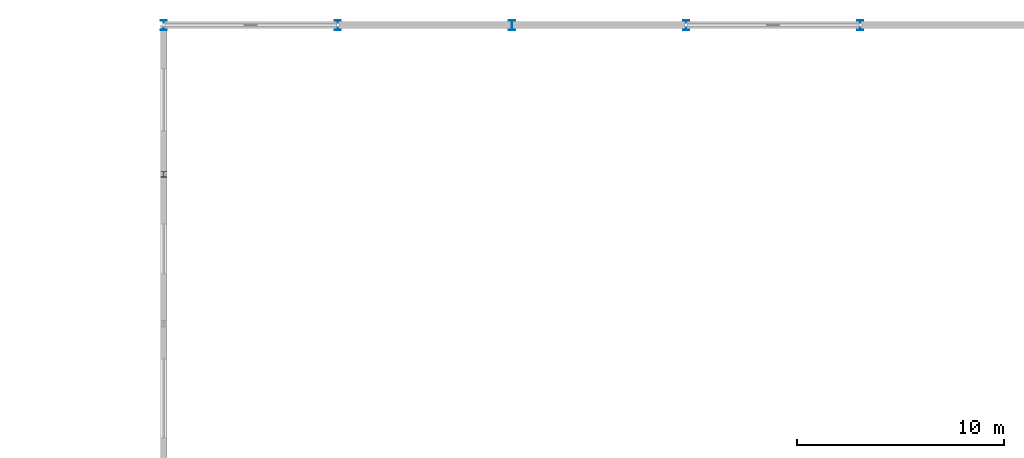
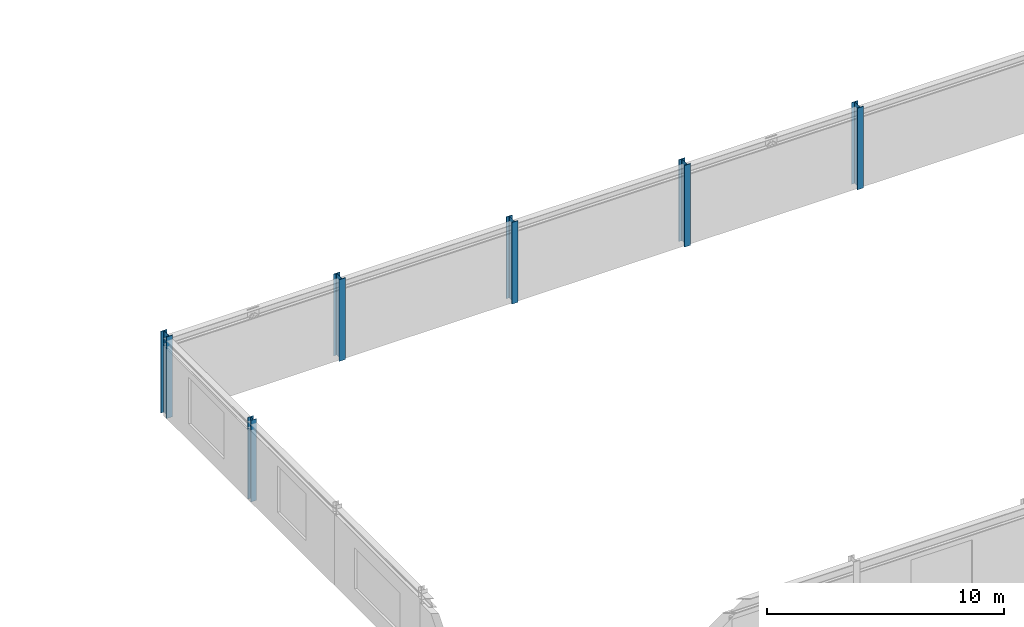
# One storey, part 11 of 73: 6 columns.
"""IFC4 building model written with IfcOpenShell, lengths in metres."""

from ifc_helpers import new_model, si_unit, derived_unit, direction, frame, origin, origin_2d, place, context, subcontext, project, spatial, i_section, extrude, material, material_profile, profile_set, type_object, element, save


model = new_model("IFC4")

# Units and contexts
model_context = context("Model", 3, precision=1e-05, world=origin(), true_north=direction((0.0, 1.0)))
body_context = subcontext(model_context, "Body", "Model", "MODEL_VIEW")
ifc_project = project(units=[si_unit("LENGTHUNIT", "METRE"), si_unit("AREAUNIT", "SQUARE_METRE"), si_unit("VOLUMEUNIT", "CUBIC_METRE"), si_unit("PLANEANGLEUNIT", "RADIAN"), si_unit("MASSUNIT", "GRAM", prefix="KILO"), derived_unit("THERMALTRANSMITTANCEUNIT", [(si_unit("MASSUNIT", "GRAM", prefix="KILO"), 1), (si_unit("TIMEUNIT", "SECOND"), -3), (si_unit("THERMODYNAMICTEMPERATUREUNIT", "KELVIN"), -1)])], contexts=[model_context])

# Site, building, storey
site_placement = place(None, origin())
site = spatial("IfcSite", under=ifc_project, at=site_placement, CompositionType="ELEMENT")
building_placement = place(site_placement, origin())
building = spatial("IfcBuilding", under=site, at=building_placement, Name="Kharveza Railside Sports Centre", CompositionType="ELEMENT")
storey_placement = place(building_placement, frame((0.0, 0.0, 8.699951171875)))
storey = spatial("IfcBuildingStorey", under=building, at=storey_placement, Name="L02", CompositionType="ELEMENT", Elevation=8.699951171875)

# Columns
ifc_material = material(Name="Steel S355J2", Category="steel")
ifc_material_profile_1 = material_profile(ifc_material, i_section(OverallWidth=0.300048828125, OverallDepth=0.5, WebThickness=0.014404296875, FlangeThickness=0.028076171875, FilletRadius=0.027099609375, at=origin_2d()), Name="HEB 500")
ifc_profile_set_1 = profile_set([ifc_material_profile_1], Name="Steel S355J2")
column_type_1 = type_object("IfcColumnType", Name="COL-S03", PredefinedType="COLUMN", material=ifc_profile_set_1)
for number, where, z_axis, x_axis, name in (
    (1, (92.39990234375, 108.0, 0.0), (0.0, 0.0, 1.0), (1.0, 0.0, 0.0), "COL-G-C03-X924-Y1080-L02"),
    (2, (100.800048828125, 108.0, 0.0), (0.0, 0.0, 1.0), (1.0, 0.0, 0.0), "COL-G-C03-X1008-Y1080-L02"),
    (3, (109.199951171875, 108.0, 0.0), (0.0, 0.0, 1.0), (1.0, 0.0, 0.0), "COL-G-C03-X1092-Y1080-L02"),
    (4, (117.60009765625, 108.0, 0.0), (0.0, 0.0, 1.0), (1.0, 0.0, 0.0), "COL-G-C03-X1176-Y1080-L02"),
    (5, (126.0, 108.0, 0.0), (0.0, 0.0, 1.0), (1.0, 0.0, 0.0), "COL-G-C03-X1260-Y1080-L02"),
):
    element("IfcColumn", number, at=place(storey_placement, frame(where, z_axis=z_axis, x_axis=x_axis)), inside=storey, type_object=column_type_1, Name=name, PredefinedType="COLUMN", context=body_context, shape_type="SweptSolid", body=[
        extrude(i_section(OverallWidth=0.300048828125, OverallDepth=0.5, WebThickness=0.014404296875, FlangeThickness=0.028076171875, FilletRadius=0.027099609375, at=origin_2d()), origin(), (0.0, 0.0, 1.0), 4.199951171875),
    ])
ifc_material_profile_2 = material_profile(ifc_material, i_section(OverallWidth=0.280029296875, OverallDepth=0.27001953125, WebThickness=0.008056640625, FlangeThickness=0.012939453125, FilletRadius=0.02392578125, at=origin_2d()), Name="HEA 280")
ifc_profile_set_2 = profile_set([ifc_material_profile_2], Name="Steel S355J2")
column_type_2 = type_object("IfcColumnType", Name="COL-S13", PredefinedType="COLUMN", material=ifc_profile_set_2)
column_placement = place(storey_placement, frame((92.39990234375, 100.800048828125, 0.0), z_axis=(0.0, 0.0, 1.0), x_axis=(1.0, 0.0, 0.0)))
element("IfcColumn", 6, at=column_placement, inside=storey, type_object=column_type_2, Name="COL-G-C13-X924-Y1008-L02", PredefinedType="COLUMN", context=body_context, shape_type="SweptSolid", body=[
    extrude(i_section(OverallWidth=0.280029296875, OverallDepth=0.27001953125, WebThickness=0.008056640625, FlangeThickness=0.012939453125, FilletRadius=0.02392578125, at=origin_2d()), origin(), (0.0, 0.0, 1.0), 4.199951171875),
])

save(model, "model.ifc")
